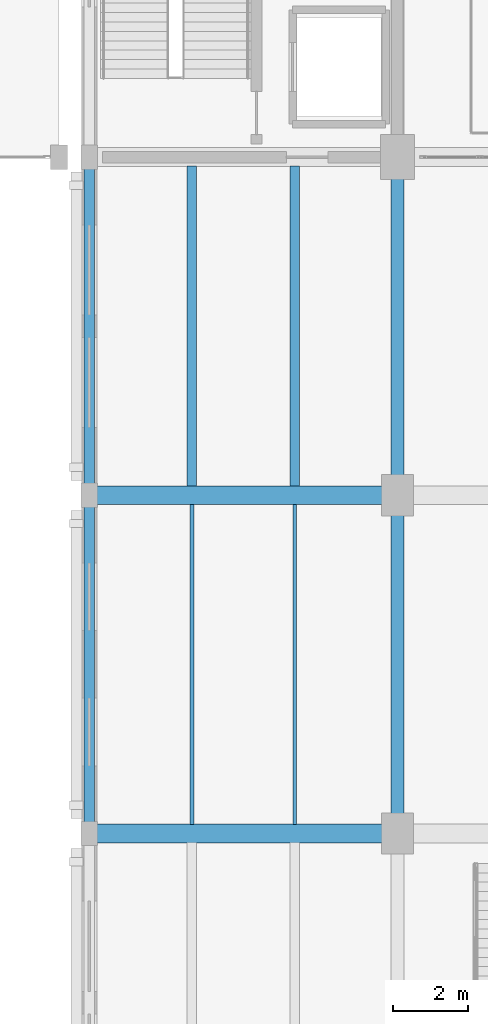
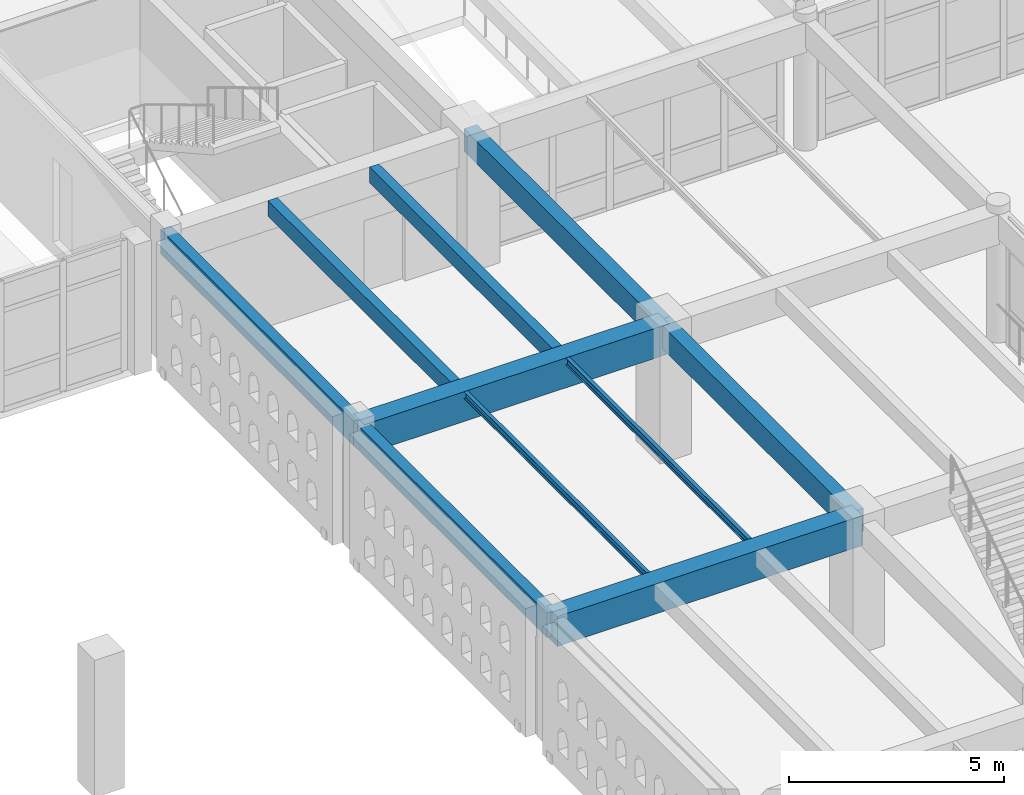
# One storey, part 45 of 156: 10 beams.
"""IFC4 building model written with IfcOpenShell, lengths in metres."""

from ifc_helpers import new_model, si_unit, direction, frame, origin, origin_2d, place, context, subcontext, project, spatial, rectangle, i_section, extrude, material, material_profile, profile_set, type_object, element, save


model = new_model("IFC4")

# Units and contexts
model_context = context("Model", 3, precision=1e-05, world=origin(), true_north=direction((0.0, 1.0)))
body_context = subcontext(model_context, "Body", "Model", "MODEL_VIEW")
ifc_project = project(units=[si_unit("LENGTHUNIT", "METRE"), si_unit("AREAUNIT", "SQUARE_METRE"), si_unit("VOLUMEUNIT", "CUBIC_METRE"), si_unit("PLANEANGLEUNIT", "RADIAN"), si_unit("MASSUNIT", "GRAM", prefix="KILO")], contexts=[model_context])

# Site, building, storey
site_placement = place(None, origin())
site = spatial("IfcSite", under=ifc_project, at=site_placement, CompositionType="ELEMENT")
building_placement = place(site_placement, origin())
building = spatial("IfcBuilding", under=site, at=building_placement, Name="Ornek Quay Market", CompositionType="ELEMENT")
storey_placement = place(building_placement, frame((0.0, 0.0, 4.5)))
storey = spatial("IfcBuildingStorey", under=building, at=storey_placement, Name="L01", CompositionType="ELEMENT", Elevation=4.5)

# Beams
ifc_material_1 = material(Name="Concrete C35/45", Category="concrete")
ifc_material_profile_1 = material_profile(ifc_material_1, rectangle(XDim=0.35009765625, YDim=0.64990234375, at=origin_2d()), Name="RC 350x650", Category="concrete")
ifc_profile_set_1 = profile_set([ifc_material_profile_1], Name="Concrete C35/45")
beam_type_1 = type_object("IfcBeamType", Name="BM-CONC-350x650", PredefinedType="BEAM", material=ifc_profile_set_1)
for number, where, z_axis, x_axis, name in (
    (1, (63.0, 74.0, 3.3349609375), (0.0, 1.0, 0.0), (-1.0, 0.0, 0.0), "Primary beam B-CN1-118"),
    (2, (63.0, 83.0, 3.3349609375), (0.0, 1.0, 0.0), (-1.0, 0.0, 0.0), "Primary beam B-CN1-119"),
):
    element("IfcBeam", number, at=place(storey_placement, frame(where, z_axis=z_axis, x_axis=x_axis)), inside=storey, type_object=beam_type_1, Name=name, PredefinedType="BEAM", context=body_context, shape_type="SweptSolid", body=[
        extrude(rectangle(XDim=0.35009765625, YDim=0.64990234375, at=origin_2d()), origin(), (0.0, 0.0, 1.0), 9.0),
    ])
ifc_material_2 = material(Name="Concrete C40/50", Category="concrete")
ifc_material_profile_2 = material_profile(ifc_material_2, rectangle(XDim=0.5, YDim=0.85009765625, at=origin_2d()), Name="RC 500x850", Category="concrete")
ifc_profile_set_2 = profile_set([ifc_material_profile_2], Name="Concrete C40/50")
beam_type_2 = type_object("IfcBeamType", Name="BM-GAL-500x850", PredefinedType="BEAM", material=ifc_profile_set_2)
for number, where, z_axis, x_axis, name in (
    (3, (54.800048828125, 74.0, 3.235107421875), (1.0, 0.0, 0.0), (0.0, 1.0, 0.0), "Primary beam B-GL1-073"),
    (4, (54.800048828125, 83.0, 3.235107421875), (1.0, 0.0, 0.0), (0.0, 1.0, 0.0), "Primary beam B-GL1-075"),
):
    element("IfcBeam", number, at=place(storey_placement, frame(where, z_axis=z_axis, x_axis=x_axis)), inside=storey, type_object=beam_type_2, Name=name, PredefinedType="BEAM", context=body_context, shape_type="SweptSolid", body=[
        extrude(rectangle(XDim=0.5, YDim=0.85009765625, at=origin_2d()), origin(), (0.0, 0.0, 1.0), 8.199951171875),
    ])
ifc_material_profile_3 = material_profile(ifc_material_1, rectangle(XDim=0.25, YDim=0.449951171875, at=origin_2d()), Name="RC 250x450", Category="concrete")
ifc_profile_set_3 = profile_set([ifc_material_profile_3], Name="Concrete C35/45")
beam_type_3 = type_object("IfcBeamType", Name="BM-SEC-250x450", PredefinedType="JOIST", material=ifc_profile_set_3)
for number, where, z_axis, x_axis, name in (
    (5, (57.533203125, 83.241943359375, 3.43505859375), (0.0, 1.0, 0.0), (-1.0, 0.0, 0.0), "Secondary joist B-SC3-015"),
    (6, (60.2666015625, 83.241943359375, 3.43505859375), (0.0, 1.0, 0.0), (-1.0, 0.0, 0.0), "Secondary joist B-SC3-016"),
):
    element("IfcBeam", number, at=place(storey_placement, frame(where, z_axis=z_axis, x_axis=x_axis)), inside=storey, type_object=beam_type_3, Name=name, PredefinedType="JOIST", context=body_context, shape_type="SweptSolid", body=[
        extrude(rectangle(XDim=0.25, YDim=0.449951171875, at=origin_2d()), origin(), (0.0, 0.0, 1.0), 8.51611328125),
    ])
ifc_material_profile_4 = material_profile(ifc_material_1, rectangle(XDim=0.280029296875, YDim=0.699951171875, at=origin_2d()), Name="RC 280x700", Category="concrete")
ifc_profile_set_4 = profile_set([ifc_material_profile_4], Name="Concrete C35/45")
beam_type_4 = type_object("IfcBeamType", Name="BM-SPN-280x700", PredefinedType="SPANDREL", material=ifc_profile_set_4)
for number, where, z_axis, x_axis, name in (
    (7, (54.800048828125, 74.0, 3.31005859375), (0.0, 1.0, 0.0), (-1.0, 0.0, 0.0), "Primary beam B-SP2-058"),
    (8, (54.800048828125, 83.0, 3.31005859375), (0.0, 1.0, 0.0), (-1.0, 0.0, 0.0), "Primary beam B-SP2-059"),
):
    element("IfcBeam", number, at=place(storey_placement, frame(where, z_axis=z_axis, x_axis=x_axis)), inside=storey, type_object=beam_type_4, Name=name, PredefinedType="SPANDREL", context=body_context, shape_type="SweptSolid", body=[
        extrude(rectangle(XDim=0.280029296875, YDim=0.699951171875, at=origin_2d()), origin(), (0.0, 0.0, 1.0), 9.0),
    ])
ifc_material_3 = material(Name="Steel S355", Category="steel")
ifc_material_profile_5 = material_profile(ifc_material_3, i_section(OverallWidth=0.10009765625, OverallDepth=0.199951171875, WebThickness=0.005615234375, FlangeThickness=0.008544921875, FilletRadius=0.011962890625, at=origin_2d()), Name="IPE 200", Category="steel")
ifc_profile_set_5 = profile_set([ifc_material_profile_5], Name="Steel S355")
beam_type_5 = type_object("IfcBeamType", Name="BM-STL-IPE200", PredefinedType="JOIST", material=ifc_profile_set_5)
for number, where, z_axis, x_axis, name in (
    (9, (57.533203125, 74.241943359375, 3.56005859375), (0.0, 1.0, 0.0), (-1.0, 0.0, 0.0), "Secondary joist SB-02-019"),
    (10, (60.2666015625, 74.241943359375, 3.56005859375), (0.0, 1.0, 0.0), (-1.0, 0.0, 0.0), "Secondary joist SB-02-020"),
):
    element("IfcBeam", number, at=place(storey_placement, frame(where, z_axis=z_axis, x_axis=x_axis)), inside=storey, type_object=beam_type_5, Name=name, PredefinedType="JOIST", context=body_context, shape_type="SweptSolid", body=[
        extrude(i_section(OverallWidth=0.10009765625, OverallDepth=0.199951171875, WebThickness=0.005615234375, FlangeThickness=0.008544921875, FilletRadius=0.011962890625, at=origin_2d()), origin(), (0.0, 0.0, 1.0), 8.51611328125),
    ])

save(model, "model.ifc")
